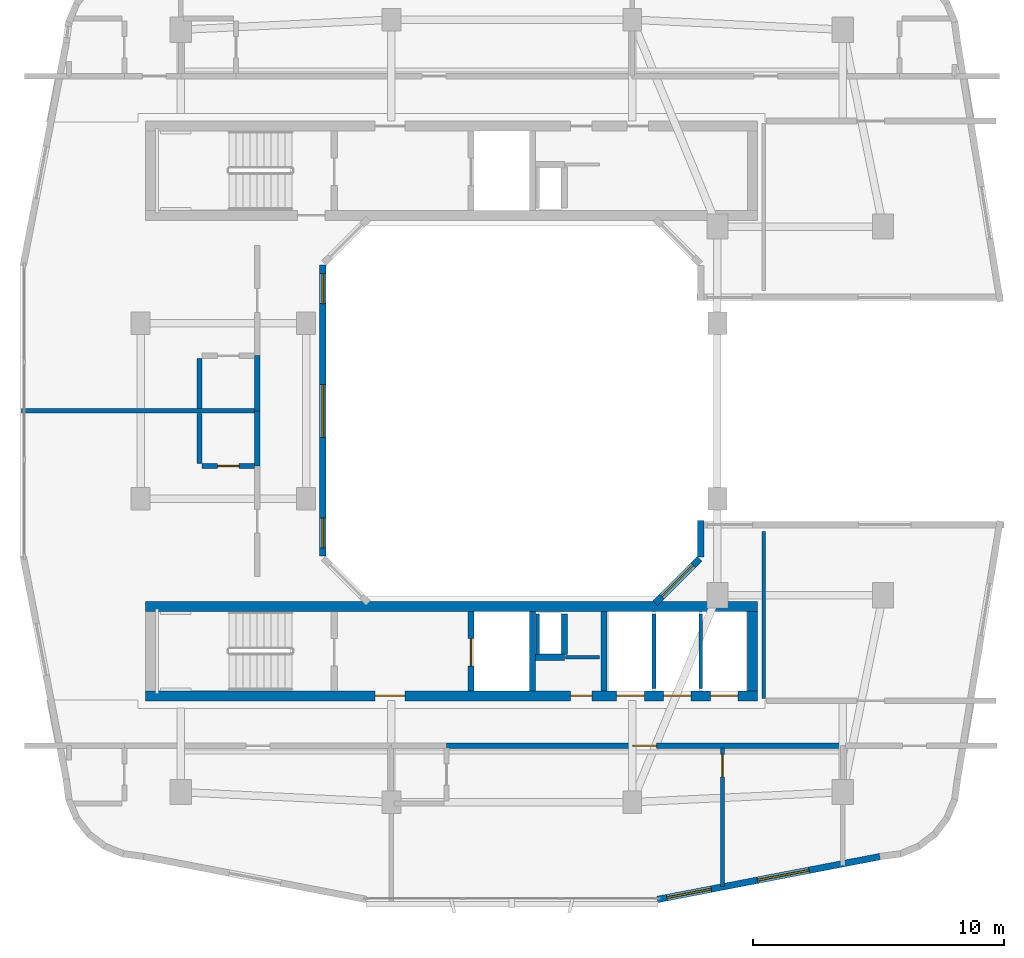
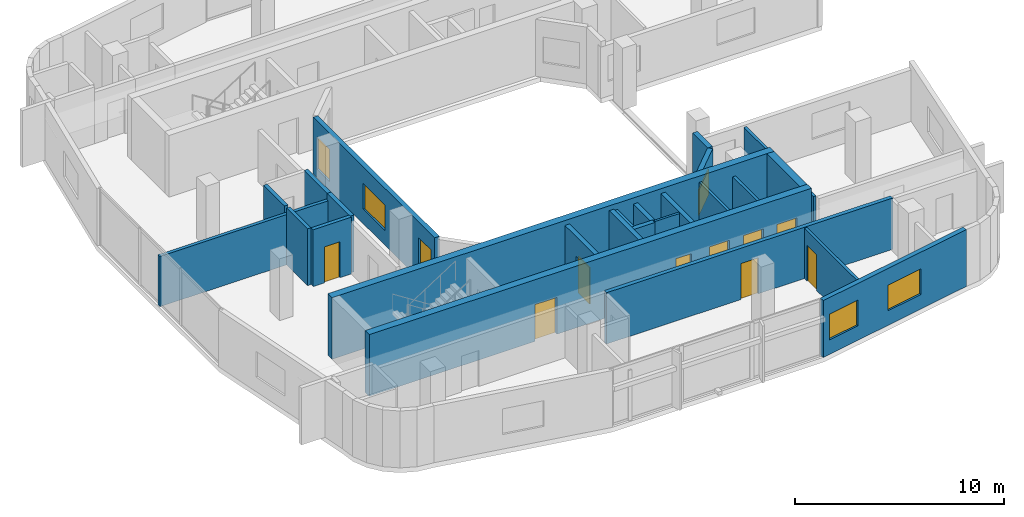
# One storey, part 5 of 12: 25 walls, 9 doors, 6 windows, 15 openings.
"""IFC4 building model written with IfcOpenShell, lengths in metres."""

import ifcopenshell
import ifcopenshell.guid

model = None  # the IFC model being written
_history = None  # IfcOwnerHistory: only IFC2X3 demands one
_inside = {}  # id of a spatial element -> (the spatial element, [elements in it])
_under = {}  # id of a project, library or spatial element -> (it, [spatial elements below it])
_declared = {}  # id of a project -> (the project, [libraries it declares])
_typed = {}  # id of a type object -> (the type object, [elements of that type])
_made_of = {}  # id of a material, layer set ... -> (it, [elements and type objects made of it])


def new_model(schema):
    """Start an empty IFC model of exactly this schema.

    Asked for "IFC4X3", IfcOpenShell would pick the latest addendum, in which some entities
    have other attributes; the version numbers below select the first issue.
    IFC2X3 requires an IfcOwnerHistory on every rooted entity: one is made here for all.
    """
    global model, _history
    if schema == "IFC4X3":
        model = ifcopenshell.file(schema_version=(4, 3, 0, 0))
    else:
        model = ifcopenshell.file(schema=schema)
    _inside.clear()
    _under.clear()
    _declared.clear()
    _typed.clear()
    _made_of.clear()
    _history = None
    if model.schema == "IFC2X3":
        org = make("IfcOrganization", Name="unknown")
        user = make(
            "IfcPersonAndOrganization",
            ThePerson=make("IfcPerson", FamilyName="unknown"),
            TheOrganization=org,
        )
        app = make(
            "IfcApplication",
            ApplicationDeveloper=org,
            Version="unknown",
            ApplicationFullName="unknown",
            ApplicationIdentifier="unknown",
        )
        _history = make(
            "IfcOwnerHistory",
            OwningUser=user,
            OwningApplication=app,
            ChangeAction="ADDED",
            CreationDate=0,
        )
    return model


def make(cls, **values):
    """One entity of the class cls with the attributes given. An attribute that is None is left unset."""
    return model.create_entity(
        cls, **{name: value for name, value in values.items() if value is not None}
    )


def rooted(cls, **values):
    """An entity with a GlobalId (a new one), such as an element, a storey or a relation."""
    return make(cls, GlobalId=ifcopenshell.guid.new(), OwnerHistory=_history, **values)


def si_unit(unit_type, name, prefix=None):
    """IfcSIUnit, for example si_unit("LENGTHUNIT", "METRE", prefix="MILLI")."""
    return make("IfcSIUnit", UnitType=unit_type, Prefix=prefix, Name=name)


def derived_unit(unit_type, elements):
    """IfcDerivedUnit: a product of units, each with its exponent."""
    return make(
        "IfcDerivedUnit",
        Elements=[
            make("IfcDerivedUnitElement", Unit=unit, Exponent=power)
            for unit, power in elements
        ],
        UnitType=unit_type,
    )


def assignment(units):
    """IfcUnitAssignment: the units of a project."""
    return None if units is None else make("IfcUnitAssignment", Units=units)


def point(xyz):
    """IfcCartesianPoint."""
    return None if xyz is None else make("IfcCartesianPoint", Coordinates=xyz)


def direction(xyz):
    """IfcDirection."""
    return None if xyz is None else make("IfcDirection", DirectionRatios=xyz)


def frame(location, z_axis=None, x_axis=None):
    """IfcAxis2Placement3D, a coordinate frame: its origin and axes. An axis left out is left unset."""
    return make(
        "IfcAxis2Placement3D",
        Location=point(location),
        Axis=direction(z_axis),
        RefDirection=direction(x_axis),
    )


def frame_2d(location, x_axis=None):
    """IfcAxis2Placement2D, a coordinate frame in the plane: its origin and x axis."""
    return make(
        "IfcAxis2Placement2D", Location=point(location), RefDirection=direction(x_axis)
    )


def origin():
    """The frame at (0, 0, 0) with its axes left unset."""
    return frame((0.0, 0.0, 0.0))


def place(relative_to, where):
    """IfcLocalPlacement: puts the frame where relative to a parent placement (None: the world)."""
    return make(
        "IfcLocalPlacement", PlacementRelTo=relative_to, RelativePlacement=where
    )


def context(
    kind, dimensions, precision=None, world=None, true_north=None, identifier=None
):
    """IfcGeometricRepresentationContext, for example the 3D "Model" context."""
    return make(
        "IfcGeometricRepresentationContext",
        ContextIdentifier=identifier,
        ContextType=kind,
        CoordinateSpaceDimension=dimensions,
        Precision=precision,
        WorldCoordinateSystem=world,
        TrueNorth=true_north,
    )


def subcontext(parent, identifier, kind, view, scale=None):
    """IfcGeometricRepresentationSubContext, for example "Body" below "Model"."""
    return make(
        "IfcGeometricRepresentationSubContext",
        ContextIdentifier=identifier,
        ContextType=kind,
        ParentContext=parent,
        TargetScale=scale,
        TargetView=view,
    )


def project(units=None, contexts=None):
    """IfcProject with its units and contexts."""
    return rooted(
        "IfcProject",
        Name="project",
        RepresentationContexts=contexts,
        UnitsInContext=assignment(units),
    )


def spatial(cls, under=None, at=None, **own):
    """A site, building, storey or space (cls), placed at a placement, below another one or the project."""
    s = rooted(cls, ObjectPlacement=at, **own)
    if under is not None:
        _under.setdefault(under.id(), (under, []))[1].append(s)
    return s


def profile(cls, at=None, kind="AREA", **sizes):
    """A parametric profile (cls). Its sizes go by their IFC names, for example OverallWidth=200.0."""
    return make(cls, ProfileType=kind, Position=at, **sizes)


def rectangle(**sizes):
    """IfcRectangleProfileDef."""
    return profile("IfcRectangleProfileDef", **sizes)


def extrude(swept, where, along, depth):
    """IfcExtrudedAreaSolid: the profile swept, set in the frame where, extruded along a direction by depth."""
    return make(
        "IfcExtrudedAreaSolid",
        SweptArea=swept,
        Position=where,
        ExtrudedDirection=direction(along),
        Depth=depth,
    )


def shape(context_of_items, identifier, shape_type, items):
    """IfcShapeRepresentation: the items that make up one representation, for example the "Body"."""
    return make(
        "IfcShapeRepresentation",
        ContextOfItems=context_of_items,
        RepresentationIdentifier=identifier,
        RepresentationType=shape_type,
        Items=items,
    )


def material(Name=None, Category=None):
    """IfcMaterial."""
    return make("IfcMaterial", Name=Name, Category=Category)


def layer(
    of_material, thickness, ventilated=None, Name=None, Category=None, Priority=None
):
    """IfcMaterialLayer: one layer of a wall or slab, of a material (None: an air gap)."""
    return make(
        "IfcMaterialLayer",
        Material=of_material,
        LayerThickness=thickness,
        IsVentilated=ventilated,
        Name=Name,
        Category=Category,
        Priority=Priority,
    )


def layer_set(layers, Name=None):
    """IfcMaterialLayerSet."""
    return make("IfcMaterialLayerSet", MaterialLayers=layers, LayerSetName=Name)


def made_of(thing, what):
    """Note that an element or type object is made of a material, layer set ...; save() writes the relation."""
    if what is not None:
        _made_of.setdefault(what.id(), (what, []))[1].append(thing)
    return thing


def type_object(cls, material=None, **own):
    """A type object (cls), such as IfcWallType, which elements share."""
    return made_of(rooted(cls, **own), material)


def element(
    cls,
    number,
    at=None,
    inside=None,
    cuts=None,
    type_object=None,
    material=None,
    context=None,
    identifier="Body",
    shape_type=None,
    held_by="IfcProductDefinitionShape",
    body=None,
    shapes=None,
    **own,
):
    """One element of the class cls, such as IfcWall. Its Tag is "e" and its number.

    at: its placement. inside: the storey or other place that contains it. cuts: it is an
    opening in that element (IfcRelVoidsElement). A single representation is given by context,
    identifier, shape_type and body (its items); several are given by shapes. held_by: the class
    of the entity that holds the representations. save() writes the other relations.
    """
    e = rooted(cls, Tag="e%d" % number, ObjectPlacement=at, **own)
    if body is not None:
        shapes = [shape(context, identifier, shape_type, body)]
    if shapes is not None:
        e.Representation = make(held_by, Representations=shapes)
    if inside is not None:
        _inside.setdefault(inside.id(), (inside, []))[1].append(e)
    if cuts is not None:
        rooted(
            "IfcRelVoidsElement", RelatingBuildingElement=cuts, RelatedOpeningElement=e
        )
    if type_object is not None:
        _typed.setdefault(type_object.id(), (type_object, []))[1].append(e)
    return made_of(e, material)


def fill(opening, filler):
    """IfcRelFillsElement: the door or window that sits in an opening."""
    return rooted(
        "IfcRelFillsElement",
        RelatingOpeningElement=opening,
        RelatedBuildingElement=filler,
    )


def aggregate(whole, parts):
    """IfcRelAggregates: a whole, such as a stair, and the parts it consists of."""
    return rooted("IfcRelAggregates", RelatingObject=whole, RelatedObjects=parts)


def save(model, path):
    """Write the relations noted so far, then the file.

    IfcRelAggregates (storeys below a building ...), IfcRelContainedInSpatialStructure (elements
    in a storey), IfcRelDefinesByType, IfcRelAssociatesMaterial and IfcRelDeclares: one each for
    every whole, place, type object, material and project.
    """
    for whole, parts in _under.values():
        aggregate(whole, parts)
    for where, things in _inside.values():
        rooted(
            "IfcRelContainedInSpatialStructure",
            RelatedElements=things,
            RelatingStructure=where,
        )
    for kind, things in _typed.values():
        rooted("IfcRelDefinesByType", RelatedObjects=things, RelatingType=kind)
    for what, things in _made_of.values():
        rooted("IfcRelAssociatesMaterial", RelatedObjects=things, RelatingMaterial=what)
    for by, libraries in _declared.values():
        rooted("IfcRelDeclares", RelatingContext=by, RelatedDefinitions=libraries)
    model.write(path)


model = new_model("IFC4")

# Units and contexts
model_context = context("Model", 3, precision=1e-05, world=origin(), true_north=direction((0.0, 1.0)))
body_context = subcontext(model_context, "Body", "Model", "MODEL_VIEW")
ifc_project = project(units=[si_unit("LENGTHUNIT", "METRE"), si_unit("AREAUNIT", "SQUARE_METRE"), si_unit("VOLUMEUNIT", "CUBIC_METRE"), si_unit("PLANEANGLEUNIT", "RADIAN"), si_unit("MASSUNIT", "GRAM", prefix="KILO"), derived_unit("THERMALTRANSMITTANCEUNIT", [(si_unit("POWERUNIT", "WATT"), 1), (si_unit("LENGTHUNIT", "METRE"), -2), (si_unit("THERMODYNAMICTEMPERATUREUNIT", "KELVIN"), -1)])], contexts=[model_context])

# Site, building, storey
site_placement = place(None, origin())
site = spatial("IfcSite", under=ifc_project, at=site_placement, CompositionType="ELEMENT")
building_placement = place(site_placement, origin())
building = spatial("IfcBuilding", under=site, at=building_placement, Name="Kivonza Crest Hotel", CompositionType="ELEMENT")
storey_placement = place(building_placement, frame((0.0, 0.0, 191.89990234375)))
storey = spatial("IfcBuildingStorey", under=building, at=storey_placement, Name="L52", CompositionType="ELEMENT", Elevation=191.89990234375)

# Wall
ifc_material_1 = material(Name="High-density acoustic masonry inter-tenancy wall", Category="masonry")
ifc_layer_1 = layer(ifc_material_1, 0.179931640625)
ifc_layer_set_1 = layer_set([ifc_layer_1], Name="High-density acoustic masonry inter-tenancy wall")
wall_type_1 = type_object("IfcWallType", Name="WL-ACOU-180", PredefinedType="SOLIDWALL", material=ifc_layer_set_1)
wall_1_placement = place(storey_placement, frame((1.4599609375, 25.0, 0.0), z_axis=(0.0, 0.0, 1.0), x_axis=(1.0, 0.0, 0.0)))
element("IfcWall", 1, at=wall_1_placement, inside=storey, type_object=wall_type_1, Name="L52 interior partition WA-L52-T1W-DIV1", PredefinedType="SOLIDWALL", context=body_context, shape_type="SweptSolid", body=[
    extrude(rectangle(XDim=9.39013671875, YDim=0.179931640625, at=frame_2d((4.695068359375, 0.0))), origin(), (0.0, 0.0, 1.0), 2.93505859375),
])

# Wall, opening, door
ifc_material_2 = material(Name="Autoclaved aerated concrete blockwork", Category="masonry")
ifc_layer_2 = layer(ifc_material_2, 0.219970703125)
ifc_layer_set_2 = layer_set([ifc_layer_2], Name="Autoclaved aerated concrete blockwork")
wall_type_2 = type_object("IfcWallType", Name="WL-ACOU-220", PredefinedType="SOLIDWALL", material=ifc_layer_set_2)
wall_2_placement = place(storey_placement, frame((18.39990234375, 11.64990234375, 0.0), z_axis=(0.0, 0.0, 1.0), x_axis=(1.0, 0.0, 0.0)))
wall_2 = element("IfcWall", 2, at=wall_2_placement, inside=storey, type_object=wall_type_2, Name="L52 interior partition WA-L52-S05-MCORR", PredefinedType="SOLIDWALL", context=body_context, shape_type="SweptSolid", body=[
    extrude(rectangle(XDim=15.800048828125, YDim=0.219970703125, at=frame_2d((7.89990234375, 0.0))), origin(), (0.0, 0.0, 1.0), 2.9951171875),
])
opening_1_placement = place(wall_2_placement, frame((7.425048828125, 0.0, 0.0)))
opening_1 = element("IfcOpeningElement", 3, at=opening_1_placement, cuts=wall_2, Name="Opening DU-60", PredefinedType="OPENING", context=body_context, shape_type="SweptSolid", body=[
    extrude(rectangle(XDim=0.949951171875, YDim=2.10009765625, at=frame_2d((0.47509765625, 1.050048828125))), frame((0.0, 0.1201171875, 0.0), z_axis=(0.0, -1.0, 0.0), x_axis=(1.0, 0.0, 0.0)), (0.0, 0.0, 1.0), 0.239990234375),
])
ifc_material_3 = material(Name="Hardwood timber oak", Category="wood")
door_type_1 = type_object("IfcDoorType", Name="DR-UNIT-950", OperationType="NOTDEFINED", PredefinedType="DOOR", material=ifc_material_3)
door_1_placement = place(opening_1_placement, frame((0.949951171875, 0.0, 0.0), z_axis=(0.0, 0.0, 1.0), x_axis=(-1.0, 0.0, 0.0)))
door_1 = element("IfcDoor", 4, at=door_1_placement, inside=storey, type_object=door_type_1, Name="L52 S05 guest unit entrance fire door", OperationType="SINGLE_SWING_LEFT", OverallHeight=2.10009765625, OverallWidth=0.949951171875, PredefinedType="DOOR", context=body_context, shape_type="SweptSolid", body=[
    extrude(rectangle(XDim=0.949951171875, YDim=2.10009765625, at=frame_2d((0.47509765625, 1.050048828125))), frame((0.0, 0.02490234375, 0.0), z_axis=(0.0, -1.0, 0.0), x_axis=(1.0, 0.0, 0.0)), (0.0, 0.0, 1.0), 0.050048828125),
])
fill(opening_1, door_1)

# Walls
for number, where, z_axis, x_axis, name in (
    (5, (10.85009765625, 22.800048828125, 0.0), (0.0, 0.0, 1.0), (0.0, 1.0, 0.0), "L52 interior partition WA-L52-W06-BCORR"),
    (6, (10.85009765625, 25.0, 0.0), (0.0, 0.0, 1.0), (0.0, 1.0, 0.0), "L52 interior partition WA-L52-W07-BCORR"),
):
    element("IfcWall", number, at=place(storey_placement, frame(where, z_axis=z_axis, x_axis=x_axis)), inside=storey, type_object=wall_type_2, Name=name, PredefinedType="SOLIDWALL", context=body_context, shape_type="SweptSolid", body=[
        extrude(rectangle(XDim=2.199951171875, YDim=0.219970703125, at=frame_2d((1.10009765625, 0.0))), origin(), (0.0, 0.0, 1.0), 3.320068359375),
    ])

# Wall, openings, doors
ifc_material_4 = material(Name="Concrete C50/60", Category="concrete")
ifc_layer_3 = layer(ifc_material_4, 0.39990234375)
ifc_layer_set_3 = layer_set([ifc_layer_3], Name="Concrete C50/60")
wall_type_3 = type_object("IfcWallType", Name="WL-CORE-400", PredefinedType="SHEAR", material=ifc_layer_set_3)
wall_3_placement = place(storey_placement, frame((6.39990234375, 13.639892578125, 0.0), z_axis=(0.0, 0.0, 1.0), x_axis=(1.0, 0.0, 0.0)))
wall_3 = element("IfcWall", 7, at=wall_3_placement, inside=storey, type_object=wall_type_3, Name="Core wall T1-S South L52", PredefinedType="SHEAR", context=body_context, shape_type="SweptSolid", body=[
    extrude(rectangle(XDim=24.400146484375, YDim=0.39990234375, at=frame_2d((12.2001953125, 0.0))), origin(), (0.0, 0.0, 1.0), 3.60009765625),
])
opening_2_placement = place(wall_3_placement, frame((9.14990234375, 0.0, 0.0)))
opening_2 = element("IfcOpeningElement", 8, at=opening_2_placement, cuts=wall_3, Name="Opening DF-60", PredefinedType="OPENING", context=body_context, shape_type="SweptSolid", body=[
    extrude(rectangle(XDim=1.199951171875, YDim=2.14990234375, at=frame_2d((0.60009765625, 1.074951171875))), frame((0.0, 0.2099609375, 0.0), z_axis=(0.0, -1.0, 0.0), x_axis=(1.0, 0.0, 0.0)), (0.0, 0.0, 1.0), 0.419921875),
])
opening_3_placement = place(wall_3_placement, frame((16.93994140625, 0.0, 0.0)))
opening_3 = element("IfcOpeningElement", 9, at=opening_3_placement, cuts=wall_3, Name="Opening DF-60R", PredefinedType="OPENING", context=body_context, shape_type="SweptSolid", body=[
    extrude(rectangle(XDim=0.85009765625, YDim=2.10009765625, at=frame_2d((0.425048828125, 1.050048828125))), frame((0.0, 0.2099609375, 0.0), z_axis=(0.0, -1.0, 0.0), x_axis=(1.0, 0.0, 0.0)), (0.0, 0.0, 1.0), 0.419921875),
])
opening_4_placement = place(wall_3_placement, frame((18.782958984375, 0.0, 0.0)))
opening_4 = element("IfcOpeningElement", 10, at=opening_4_placement, cuts=wall_3, Name="Opening LD-120", PredefinedType="OPENING", context=body_context, shape_type="SweptSolid", body=[
    extrude(rectangle(XDim=1.10009765625, YDim=2.14990234375, at=frame_2d((0.550048828125, 1.074951171875))), frame((0.0, 0.2099609375, 0.0), z_axis=(0.0, -1.0, 0.0), x_axis=(1.0, 0.0, 0.0)), (0.0, 0.0, 1.0), 0.419921875),
])
opening_5_placement = place(wall_3_placement, frame((20.64990234375, 0.0, 0.0)))
opening_5 = element("IfcOpeningElement", 11, at=opening_5_placement, cuts=wall_3, Name="Opening LD-120", PredefinedType="OPENING", context=body_context, shape_type="SweptSolid", body=[
    extrude(rectangle(XDim=1.10009765625, YDim=2.14990234375, at=frame_2d((0.550048828125, 1.074951171875))), frame((0.0, 0.2099609375, 0.0), z_axis=(0.0, -1.0, 0.0), x_axis=(1.0, 0.0, 0.0)), (0.0, 0.0, 1.0), 0.419921875),
])
opening_6_placement = place(wall_3_placement, frame((22.51708984375, 0.0, 0.0)))
opening_6 = element("IfcOpeningElement", 12, at=opening_6_placement, cuts=wall_3, Name="Opening LD-120", PredefinedType="OPENING", context=body_context, shape_type="SweptSolid", body=[
    extrude(rectangle(XDim=1.10009765625, YDim=2.14990234375, at=frame_2d((0.550048828125, 1.074951171875))), frame((0.0, 0.2099609375, 0.0), z_axis=(0.0, -1.0, 0.0), x_axis=(1.0, 0.0, 0.0)), (0.0, 0.0, 1.0), 0.419921875),
])
door_type_2 = type_object("IfcDoorType", Name="DR-FD60-1200", OperationType="NOTDEFINED", PredefinedType="DOOR", material=ifc_material_3)
door_2_placement = place(opening_2_placement, frame((1.199951171875, 0.0, 0.0), z_axis=(0.0, 0.0, 1.0), x_axis=(-1.0, 0.0, 0.0)))
door_2 = element("IfcDoor", 13, at=door_2_placement, inside=storey, type_object=door_type_2, Name="L52 T1-S firefighting lobby fire door", OperationType="SINGLE_SWING_LEFT", OverallHeight=2.14990234375, OverallWidth=1.199951171875, PredefinedType="DOOR", context=body_context, shape_type="SweptSolid", body=[
    extrude(rectangle(XDim=1.199951171875, YDim=2.14990234375, at=frame_2d((0.60009765625, 1.074951171875))), frame((0.0, 0.02490234375, 0.0), z_axis=(0.0, -1.0, 0.0), x_axis=(1.0, 0.0, 0.0)), (0.0, 0.0, 1.0), 0.050048828125),
])
fill(opening_2, door_2)
door_type_3 = type_object("IfcDoorType", Name="DR-FD60-850", OperationType="NOTDEFINED", PredefinedType="DOOR", material=ifc_material_3)
door_3_placement = place(opening_3_placement, frame((0.85009765625, 0.0, 0.0), z_axis=(0.0, 0.0, 1.0), x_axis=(-1.0, 0.0, 0.0)))
door_3 = element("IfcDoor", 14, at=door_3_placement, inside=storey, type_object=door_type_3, Name="L52 T1-S core room door", OperationType="SINGLE_SWING_RIGHT", OverallHeight=2.10009765625, OverallWidth=0.85009765625, PredefinedType="DOOR", context=body_context, shape_type="SweptSolid", body=[
    extrude(rectangle(XDim=0.85009765625, YDim=2.10009765625, at=frame_2d((0.425048828125, 1.050048828125))), frame((0.0, 0.02490234375, 0.0), z_axis=(0.0, -1.0, 0.0), x_axis=(1.0, 0.0, 0.0)), (0.0, 0.0, 1.0), 0.050048828125),
])
fill(opening_3, door_3)
ifc_material_5 = material(Name="Stainless steel", Category="steel")
door_type_4 = type_object("IfcDoorType", Name="DR-LD120-1100", OperationType="NOTDEFINED", PredefinedType="DOOR", material=ifc_material_5)
door_4_placement = place(opening_4_placement, frame((1.10009765625, 0.0, 0.0), z_axis=(0.0, 0.0, 1.0), x_axis=(-1.0, 0.0, 0.0)))
door_4 = element("IfcDoor", 15, at=door_4_placement, inside=storey, type_object=door_type_4, Name="L52 PL-T1-H1 passenger lift sliding landing door", OperationType="DOUBLE_DOOR_SLIDING", OverallHeight=2.14990234375, OverallWidth=1.10009765625, PredefinedType="DOOR", context=body_context, shape_type="SweptSolid", body=[
    extrude(rectangle(XDim=1.10009765625, YDim=2.14990234375, at=frame_2d((0.550048828125, 1.074951171875))), frame((0.0, 0.02490234375, 0.0), z_axis=(0.0, -1.0, 0.0), x_axis=(1.0, 0.0, 0.0)), (0.0, 0.0, 1.0), 0.050048828125),
])
fill(opening_4, door_4)
door_5_placement = place(opening_5_placement, frame((1.10009765625, 0.0, 0.0), z_axis=(0.0, 0.0, 1.0), x_axis=(-1.0, 0.0, 0.0)))
door_5 = element("IfcDoor", 16, at=door_5_placement, inside=storey, type_object=door_type_4, Name="L52 PL-T1-H2 passenger lift sliding landing door", OperationType="DOUBLE_DOOR_SLIDING", OverallHeight=2.14990234375, OverallWidth=1.10009765625, PredefinedType="DOOR", context=body_context, shape_type="SweptSolid", body=[
    extrude(rectangle(XDim=1.10009765625, YDim=2.14990234375, at=frame_2d((0.550048828125, 1.074951171875))), frame((0.0, 0.02490234375, 0.0), z_axis=(0.0, -1.0, 0.0), x_axis=(1.0, 0.0, 0.0)), (0.0, 0.0, 1.0), 0.050048828125),
])
fill(opening_5, door_5)
door_6_placement = place(opening_6_placement, frame((1.10009765625, 0.0, 0.0), z_axis=(0.0, 0.0, 1.0), x_axis=(-1.0, 0.0, 0.0)))
door_6 = element("IfcDoor", 17, at=door_6_placement, inside=storey, type_object=door_type_4, Name="L52 PL-T1-H3 passenger lift sliding landing door", OperationType="DOUBLE_DOOR_SLIDING", OverallHeight=2.14990234375, OverallWidth=1.10009765625, PredefinedType="DOOR", context=body_context, shape_type="SweptSolid", body=[
    extrude(rectangle(XDim=1.10009765625, YDim=2.14990234375, at=frame_2d((0.550048828125, 1.074951171875))), frame((0.0, 0.02490234375, 0.0), z_axis=(0.0, -1.0, 0.0), x_axis=(1.0, 0.0, 0.0)), (0.0, 0.0, 1.0), 0.050048828125),
])
fill(opening_6, door_6)

# Walls
wall_4_placement = place(storey_placement, frame((6.39990234375, 17.199951171875, 0.0), z_axis=(0.0, 0.0, 1.0), x_axis=(1.0, 0.0, 0.0)))
element("IfcWall", 18, at=wall_4_placement, inside=storey, type_object=wall_type_3, Name="Core wall T1-S North L52", PredefinedType="SHEAR", context=body_context, shape_type="SweptSolid", body=[
    extrude(rectangle(XDim=24.400146484375, YDim=0.39990234375, at=frame_2d((12.2001953125, 0.0))), origin(), (0.0, 0.0, 1.0), 3.60009765625),
])
wall_5_placement = place(storey_placement, frame((30.60009765625, 13.840087890625, 0.0), z_axis=(0.0, 0.0, 1.0), x_axis=(0.0, 1.0, 0.0)))
element("IfcWall", 19, at=wall_5_placement, inside=storey, type_object=wall_type_3, Name="Core wall T1-S East L52", PredefinedType="SHEAR", context=body_context, shape_type="SweptSolid", body=[
    extrude(rectangle(XDim=3.159912109375, YDim=0.39990234375, at=frame_2d((1.580078125, 0.0))), origin(), (0.0, 0.0, 1.0), 3.60009765625),
])

# Wall, openings, windows
ifc_material_6 = material(Name="Precast concrete C40/50", Category="concrete")
ifc_layer_4 = layer(ifc_material_6, 0.260009765625)
ifc_layer_set_4 = layer_set([ifc_layer_4], Name="Precast concrete C40/50")
wall_type_4 = type_object("IfcWallType", Name="WL-EXT-260", PredefinedType="STANDARD", material=ifc_layer_set_4)
wall_6_placement = place(storey_placement, frame((26.801025390625, 5.51806640625, 0.0), z_axis=(0.0, 0.0, 1.0), x_axis=(0.98192801022, 0.189254809039, 0.0)))
wall_6 = element("IfcWall", 20, at=wall_6_placement, inside=storey, type_object=wall_type_4, Name="L52 T1 exterior insulated wall 9", PredefinedType="STANDARD", context=body_context, shape_type="SweptSolid", body=[
    extrude(rectangle(XDim=9.045654296875, YDim=0.260009765625, at=frame_2d((4.52294921875, 0.0))), origin(), (0.0, 0.0, 1.0), 3.320068359375),
])
opening_7_placement = place(wall_6_placement, frame((0.386962890625, 0.0, 0.85009765625)))
opening_7 = element("IfcOpeningElement", 21, at=opening_7_placement, cuts=wall_6, Name="Opening WN-03", PredefinedType="OPENING", context=body_context, shape_type="SweptSolid", body=[
    extrude(rectangle(XDim=1.800048828125, YDim=1.5, at=frame_2d((0.89990234375, 0.75))), frame((0.0, 0.14013671875, 0.0), z_axis=(0.0, -1.0, 0.0), x_axis=(1.0, 0.0, 0.0)), (0.0, 0.0, 1.0), 0.280029296875),
])
opening_8_placement = place(wall_6_placement, frame((4.06494140625, 0.0, 0.85009765625)))
opening_8 = element("IfcOpeningElement", 22, at=opening_8_placement, cuts=wall_6, Name="Opening WN-04", PredefinedType="OPENING", context=body_context, shape_type="SweptSolid", body=[
    extrude(rectangle(XDim=2.10009765625, YDim=1.5, at=frame_2d((1.050048828125, 0.75))), frame((0.0, 0.14013671875, 0.0), z_axis=(0.0, -1.0, 0.0), x_axis=(1.0, 0.0, 0.0)), (0.0, 0.0, 1.0), 0.280029296875),
])
ifc_material_7 = material(Name="Thermally broken bronze aluminium and low-E double glazing", Category="aluminium")
window_type_1 = type_object("IfcWindowType", Name="WN-180x150", PartitioningType="DOUBLE_PANEL_VERTICAL", PredefinedType="WINDOW", material=ifc_material_7)
window_1_placement = place(opening_7_placement, origin())
window_1 = element("IfcWindow", 23, at=window_1_placement, inside=storey, type_object=window_type_1, Name="L52 T1 facade window 9 bay 1", OverallHeight=1.5, OverallWidth=1.800048828125, PartitioningType="SINGLE_PANEL", PredefinedType="WINDOW", context=body_context, shape_type="SweptSolid", body=[
    extrude(rectangle(XDim=1.800048828125, YDim=1.5, at=frame_2d((0.89990234375, 0.75))), frame((0.0, 0.030029296875, 0.0), z_axis=(0.0, -1.0, 0.0), x_axis=(1.0, 0.0, 0.0)), (0.0, 0.0, 1.0), 0.06005859375),
])
fill(opening_7, window_1)
window_type_2 = type_object("IfcWindowType", Name="WN-210x150", PartitioningType="DOUBLE_PANEL_VERTICAL", PredefinedType="WINDOW", material=ifc_material_7)
window_2_placement = place(opening_8_placement, origin())
window_2 = element("IfcWindow", 24, at=window_2_placement, inside=storey, type_object=window_type_2, Name="L52 T1 facade window 9 bay 2", OverallHeight=1.5, OverallWidth=2.10009765625, PartitioningType="SINGLE_PANEL", PredefinedType="WINDOW", context=body_context, shape_type="SweptSolid", body=[
    extrude(rectangle(XDim=2.10009765625, YDim=1.5, at=frame_2d((1.050048828125, 0.75))), frame((0.0, 0.030029296875, 0.0), z_axis=(0.0, -1.0, 0.0), x_axis=(1.0, 0.0, 0.0)), (0.0, 0.0, 1.0), 0.06005859375),
])
fill(opening_8, window_2)

# Wall
wall_7_placement = place(storey_placement, frame((28.530029296875, 20.625, 0.0), z_axis=(0.0, 0.0, 1.0), x_axis=(0.0, -1.0, 0.0)))
element("IfcWall", 25, at=wall_7_placement, inside=storey, type_object=wall_type_4, Name="L52 T1 exterior insulated wall 18", PredefinedType="STANDARD", context=body_context, shape_type="SweptSolid", body=[
    extrude(rectangle(XDim=1.449951171875, YDim=0.260009765625, at=frame_2d((0.72509765625, 0.0))), origin(), (0.0, 0.0, 1.0), 3.320068359375),
])

# Wall, opening, window
wall_8_placement = place(storey_placement, frame((28.485107421875, 19.10107421875, 0.0), z_axis=(0.0, 0.0, 1.0), x_axis=(-0.707106781187, -0.707106781187, 0.0)))
wall_8 = element("IfcWall", 26, at=wall_8_placement, inside=storey, type_object=wall_type_4, Name="L52 T1 exterior insulated wall 19", PredefinedType="STANDARD", context=body_context, shape_type="SweptSolid", body=[
    extrude(rectangle(XDim=2.493408203125, YDim=0.260009765625, at=frame_2d((1.24658203125, 0.0))), origin(), (0.0, 0.0, 1.0), 3.320068359375),
])
opening_9_placement = place(wall_8_placement, frame((0.346923828125, 0.0, 0.85009765625)))
opening_9 = element("IfcOpeningElement", 27, at=opening_9_placement, cuts=wall_8, Name="Opening WN-03", PredefinedType="OPENING", context=body_context, shape_type="SweptSolid", body=[
    extrude(rectangle(XDim=1.800048828125, YDim=1.5, at=frame_2d((0.89990234375, 0.75))), frame((0.0, 0.14013671875, 0.0), z_axis=(0.0, -1.0, 0.0), x_axis=(1.0, 0.0, 0.0)), (0.0, 0.0, 1.0), 0.280029296875),
])
window_3_placement = place(opening_9_placement, origin())
window_3 = element("IfcWindow", 28, at=window_3_placement, inside=storey, type_object=window_type_1, Name="L52 T1 facade window 19", OverallHeight=1.5, OverallWidth=1.800048828125, PartitioningType="SINGLE_PANEL", PredefinedType="WINDOW", context=body_context, shape_type="SweptSolid", body=[
    extrude(rectangle(XDim=1.800048828125, YDim=1.5, at=frame_2d((0.89990234375, 0.75))), frame((0.0, 0.030029296875, 0.0), z_axis=(0.0, -1.0, 0.0), x_axis=(1.0, 0.0, 0.0)), (0.0, 0.0, 1.0), 0.06005859375),
])
fill(opening_9, window_3)

# Wall, openings, windows
wall_9_placement = place(storey_placement, frame((13.469970703125, 19.2099609375, 0.0), z_axis=(0.0, 0.0, 1.0), x_axis=(0.0, 1.0, 0.0)))
wall_9 = element("IfcWall", 29, at=wall_9_placement, inside=storey, type_object=wall_type_4, Name="L52 T1 exterior insulated wall 22", PredefinedType="STANDARD", context=body_context, shape_type="SweptSolid", body=[
    extrude(rectangle(XDim=11.614990234375, YDim=0.260009765625, at=frame_2d((5.8076171875, 0.0))), origin(), (0.0, 0.0, 1.0), 3.320068359375),
])
opening_10_placement = place(wall_9_placement, frame((0.330078125, 0.0, 0.5)))
opening_10 = element("IfcOpeningElement", 30, at=opening_10_placement, cuts=wall_9, Name="Opening WN-06", PredefinedType="OPENING", context=body_context, shape_type="SweptSolid", body=[
    extrude(rectangle(XDim=1.199951171875, YDim=1.89990234375, at=frame_2d((0.60009765625, 0.949951171875))), frame((0.0, 0.14013671875, 0.0), z_axis=(0.0, -1.0, 0.0), x_axis=(1.0, 0.0, 0.0)), (0.0, 0.0, 1.0), 0.280029296875),
])
opening_11_placement = place(wall_9_placement, frame((4.739990234375, 0.0, 0.85009765625)))
opening_11 = element("IfcOpeningElement", 31, at=opening_11_placement, cuts=wall_9, Name="Opening WN-04", PredefinedType="OPENING", context=body_context, shape_type="SweptSolid", body=[
    extrude(rectangle(XDim=2.10009765625, YDim=1.5, at=frame_2d((1.050048828125, 0.75))), frame((0.0, 0.14013671875, 0.0), z_axis=(0.0, -1.0, 0.0), x_axis=(1.0, 0.0, 0.0)), (0.0, 0.0, 1.0), 0.280029296875),
])
opening_12_placement = place(wall_9_placement, frame((10.06689453125, 0.0, 0.5)))
opening_12 = element("IfcOpeningElement", 32, at=opening_12_placement, cuts=wall_9, Name="Opening WN-06", PredefinedType="OPENING", context=body_context, shape_type="SweptSolid", body=[
    extrude(rectangle(XDim=1.199951171875, YDim=1.89990234375, at=frame_2d((0.60009765625, 0.949951171875))), frame((0.0, 0.14013671875, 0.0), z_axis=(0.0, -1.0, 0.0), x_axis=(1.0, 0.0, 0.0)), (0.0, 0.0, 1.0), 0.280029296875),
])
window_type_3 = type_object("IfcWindowType", Name="WN-120x190", PartitioningType="SINGLE_PANEL", PredefinedType="WINDOW", material=ifc_material_7)
window_4_placement = place(opening_10_placement, origin())
window_4 = element("IfcWindow", 33, at=window_4_placement, inside=storey, type_object=window_type_3, Name="L52 T1 facade window 22 bay 1", OverallHeight=1.89990234375, OverallWidth=1.199951171875, PartitioningType="SINGLE_PANEL", PredefinedType="WINDOW", context=body_context, shape_type="SweptSolid", body=[
    extrude(rectangle(XDim=1.199951171875, YDim=1.89990234375, at=frame_2d((0.60009765625, 0.949951171875))), frame((0.0, 0.030029296875, 0.0), z_axis=(0.0, -1.0, 0.0), x_axis=(1.0, 0.0, 0.0)), (0.0, 0.0, 1.0), 0.06005859375),
])
fill(opening_10, window_4)
window_5_placement = place(opening_12_placement, origin())
window_5 = element("IfcWindow", 34, at=window_5_placement, inside=storey, type_object=window_type_3, Name="L52 T1 facade window 22 bay 3", OverallHeight=1.89990234375, OverallWidth=1.199951171875, PartitioningType="SINGLE_PANEL", PredefinedType="WINDOW", context=body_context, shape_type="SweptSolid", body=[
    extrude(rectangle(XDim=1.199951171875, YDim=1.89990234375, at=frame_2d((0.60009765625, 0.949951171875))), frame((0.0, 0.030029296875, 0.0), z_axis=(0.0, -1.0, 0.0), x_axis=(1.0, 0.0, 0.0)), (0.0, 0.0, 1.0), 0.06005859375),
])
fill(opening_12, window_5)
window_6_placement = place(opening_11_placement, origin())
window_6 = element("IfcWindow", 35, at=window_6_placement, inside=storey, type_object=window_type_2, Name="L52 T1 facade window 22 bay 2", OverallHeight=1.5, OverallWidth=2.10009765625, PartitioningType="SINGLE_PANEL", PredefinedType="WINDOW", context=body_context, shape_type="SweptSolid", body=[
    extrude(rectangle(XDim=2.10009765625, YDim=1.5, at=frame_2d((1.050048828125, 0.75))), frame((0.0, 0.030029296875, 0.0), z_axis=(0.0, -1.0, 0.0), x_axis=(1.0, 0.0, 0.0)), (0.0, 0.0, 1.0), 0.06005859375),
])
fill(opening_11, window_6)

# Walls
ifc_material_8 = material(Name="Concrete blockwork fire-compartment wall", Category="masonry")
ifc_layer_5 = layer(ifc_material_8, 0.25)
ifc_layer_set_5 = layer_set([ifc_layer_5], Name="Concrete blockwork fire-compartment wall")
wall_type_5 = type_object("IfcWallType", Name="WL-FIRE-250", PredefinedType="SOLIDWALL", material=ifc_layer_set_5)
wall_10_placement = place(storey_placement, frame((23.10009765625, 15.280029296875, 0.0), z_axis=(0.0, 0.0, 1.0), x_axis=(0.0, 1.0, 0.0)))
element("IfcWall", 36, at=wall_10_placement, inside=storey, type_object=wall_type_5, Name="L52 interior partition WA-L52-T1-S-MEPR-E", PredefinedType="SOLIDWALL", context=body_context, shape_type="SweptSolid", body=[
    extrude(rectangle(XDim=1.619873046875, YDim=0.25, at=frame_2d((0.81005859375, 0.0))), origin(), (0.0, 0.0, 1.0), 3.320068359375),
])
wall_11_placement = place(storey_placement, frame((21.949951171875, 15.179931640625, 0.0), z_axis=(0.0, 0.0, 1.0), x_axis=(1.0, 0.0, 0.0)))
element("IfcWall", 37, at=wall_11_placement, inside=storey, type_object=wall_type_5, Name="L52 interior partition WA-L52-T1-S-MEPR-H", PredefinedType="SOLIDWALL", context=body_context, shape_type="SweptSolid", body=[
    extrude(rectangle(XDim=1.150146484375, YDim=0.25, at=frame_2d((0.5751953125, 0.0))), origin(), (0.0, 0.0, 1.0), 3.320068359375),
])
ifc_material_9 = material(Name="Metal-stud gypsum board partition", Category="gypsum")
ifc_layer_6 = layer(ifc_material_9, 0.125)
ifc_layer_set_6 = layer_set([ifc_layer_6], Name="Metal-stud gypsum board partition")
wall_type_6 = type_object("IfcWallType", Name="WL-PART-125", PredefinedType="PARTITIONING", material=ifc_layer_set_6)
wall_12_placement = place(storey_placement, frame((23.14990234375, 15.179931640625, 0.0), z_axis=(0.0, 0.0, 1.0), x_axis=(1.0, 0.0, 0.0)))
element("IfcWall", 38, at=wall_12_placement, inside=storey, type_object=wall_type_6, Name="L52 interior partition WP-L52-T1-S-SV2H", PredefinedType="PARTITIONING", context=body_context, shape_type="SweptSolid", body=[
    extrude(rectangle(XDim=1.35009765625, YDim=0.125, at=frame_2d((0.675048828125, 0.0))), origin(), (0.0, 0.0, 1.0), 3.320068359375),
])
ifc_material_10 = material(Name="Twin-stud acoustic gypsum board partition", Category="gypsum")
ifc_layer_7 = layer(ifc_material_10, 0.14990234375)
ifc_layer_set_7 = layer_set([ifc_layer_7], Name="Twin-stud acoustic gypsum board partition")
wall_type_7 = type_object("IfcWallType", Name="WL-PART-150", PredefinedType="PARTITIONING", material=ifc_layer_set_7)
wall_13_placement = place(storey_placement, frame((22.030029296875, 15.280029296875, 0.0), z_axis=(0.0, 0.0, 1.0), x_axis=(0.0, 1.0, 0.0)))
element("IfcWall", 39, at=wall_13_placement, inside=storey, type_object=wall_type_7, Name="L52 interior partition WA-L52-T1-S-MEPR-W", PredefinedType="PARTITIONING", context=body_context, shape_type="SweptSolid", body=[
    extrude(rectangle(XDim=1.619873046875, YDim=0.14990234375, at=frame_2d((0.81005859375, 0.0))), origin(), (0.0, 0.0, 1.0), 3.320068359375),
])
wall_14_placement = place(storey_placement, frame((26.6669921875, 13.93994140625, 0.0), z_axis=(0.0, 0.0, 1.0), x_axis=(0.0, 1.0, 0.0)))
element("IfcWall", 40, at=wall_14_placement, inside=storey, type_object=wall_type_7, Name="L52 interior partition WP-L52-T1-S-BSH-1", PredefinedType="PARTITIONING", context=body_context, shape_type="SweptSolid", body=[
    extrude(rectangle(XDim=2.9599609375, YDim=0.14990234375, at=frame_2d((1.47998046875, 0.0))), origin(), (0.0, 0.0, 1.0), 3.320068359375),
])
wall_15_placement = place(storey_placement, frame((28.532958984375, 13.93994140625, 0.0), z_axis=(0.0, 0.0, 1.0), x_axis=(0.0, 1.0, 0.0)))
element("IfcWall", 41, at=wall_15_placement, inside=storey, type_object=wall_type_7, Name="L52 interior partition WP-L52-T1-S-BSH-2", PredefinedType="PARTITIONING", context=body_context, shape_type="SweptSolid", body=[
    extrude(rectangle(XDim=2.9599609375, YDim=0.14990234375, at=frame_2d((1.47998046875, 0.0))), origin(), (0.0, 0.0, 1.0), 2.9951171875),
])

# Wall, opening, door
wall_16_placement = place(storey_placement, frame((29.39990234375, 6.047119140625, 0.0), z_axis=(0.0, 0.0, 1.0), x_axis=(0.0, 1.0, 0.0)))
wall_16 = element("IfcWall", 42, at=wall_16_placement, inside=storey, type_object=wall_type_7, Name="L52 interior partition WP-L52-S05-SPSP", PredefinedType="PARTITIONING", context=body_context, shape_type="SweptSolid", body=[
    extrude(rectangle(XDim=5.5029296875, YDim=0.14990234375, at=frame_2d((2.75146484375, 0.0))), origin(), (0.0, 0.0, 1.0), 2.93505859375),
])
opening_13_placement = place(wall_16_placement, frame((4.363037109375, 0.0, 0.0)))
opening_13 = element("IfcOpeningElement", 43, at=opening_13_placement, cuts=wall_16, Name="Opening DI-90", PredefinedType="OPENING", context=body_context, shape_type="SweptSolid", body=[
    extrude(rectangle(XDim=0.89990234375, YDim=2.10009765625, at=frame_2d((0.449951171875, 1.050048828125))), frame((0.0, 0.0849609375, 0.0), z_axis=(0.0, -1.0, 0.0), x_axis=(1.0, 0.0, 0.0)), (0.0, 0.0, 1.0), 0.169921875),
])
door_type_5 = type_object("IfcDoorType", Name="DR-INT-900", OperationType="NOTDEFINED", PredefinedType="DOOR", material=ifc_material_3)
door_7_placement = place(opening_13_placement, origin())
door_7 = element("IfcDoor", 44, at=door_7_placement, inside=storey, type_object=door_type_5, Name="L52 S05 suite bedroom door", OperationType="SINGLE_SWING_RIGHT", OverallHeight=2.10009765625, OverallWidth=0.89990234375, PredefinedType="DOOR", context=body_context, shape_type="SweptSolid", body=[
    extrude(rectangle(XDim=0.89990234375, YDim=2.10009765625, at=frame_2d((0.449951171875, 1.050048828125))), frame((0.0, 0.02490234375, 0.0), z_axis=(0.0, -1.0, 0.0), x_axis=(1.0, 0.0, 0.0)), (0.0, 0.0, 1.0), 0.050048828125),
])
fill(opening_13, door_7)

# Wall
wall_17_placement = place(storey_placement, frame((31.050048828125, 13.5400390625, 0.0), z_axis=(0.0, 0.0, 1.0), x_axis=(0.0, 1.0, 0.0)))
element("IfcWall", 45, at=wall_17_placement, inside=storey, type_object=wall_type_7, Name="L52 interior partition WP-L52-EP1-BW", PredefinedType="PARTITIONING", context=body_context, shape_type="SweptSolid", body=[
    extrude(rectangle(XDim=6.659912109375, YDim=0.14990234375, at=frame_2d((3.330078125, 0.0))), origin(), (0.0, 0.0, 1.0), 2.9951171875),
])

# Wall, opening, door
ifc_material_11 = material(Name="Moisture-resistant plumbing chase partition wall", Category="gypsum")
ifc_layer_8 = layer(ifc_material_11, 0.199951171875)
ifc_layer_set_8 = layer_set([ifc_layer_8], Name="Moisture-resistant plumbing chase partition wall")
wall_type_8 = type_object("IfcWallType", Name="WL-PLUMB-200", PredefinedType="PLUMBINGWALL", material=ifc_layer_set_8)
wall_18_placement = place(storey_placement, frame((8.64990234375, 22.800048828125, 0.0), z_axis=(0.0, 0.0, 1.0), x_axis=(1.0, 0.0, 0.0)))
wall_18 = element("IfcWall", 46, at=wall_18_placement, inside=storey, type_object=wall_type_8, Name="L52 interior partition WW-L52-W06-BH", PredefinedType="PLUMBINGWALL", context=body_context, shape_type="SweptSolid", body=[
    extrude(rectangle(XDim=2.10009765625, YDim=0.199951171875, at=frame_2d((1.050048828125, 0.0))), origin(), (0.0, 0.0, 1.0), 3.320068359375),
])
opening_14_placement = place(wall_18_placement, frame((0.625, 0.0, 0.0)))
opening_14 = element("IfcOpeningElement", 47, at=opening_14_placement, cuts=wall_18, Name="Opening DI-85", PredefinedType="OPENING", context=body_context, shape_type="SweptSolid", body=[
    extrude(rectangle(XDim=0.85009765625, YDim=2.10009765625, at=frame_2d((0.425048828125, 1.050048828125))), frame((0.0, 0.10986328125, 0.0), z_axis=(0.0, -1.0, 0.0), x_axis=(1.0, 0.0, 0.0)), (0.0, 0.0, 1.0), 0.219970703125),
])
door_type_6 = type_object("IfcDoorType", Name="DR-INT-850", OperationType="NOTDEFINED", PredefinedType="DOOR", material=ifc_material_3)
door_8_placement = place(opening_14_placement, frame((0.85009765625, 0.0, 0.0), z_axis=(0.0, 0.0, 1.0), x_axis=(-1.0, 0.0, 0.0)))
door_8 = element("IfcDoor", 48, at=door_8_placement, inside=storey, type_object=door_type_6, Name="L52 W06 en-suite bathroom door", OperationType="SINGLE_SWING_LEFT", OverallHeight=2.10009765625, OverallWidth=0.85009765625, PredefinedType="DOOR", context=body_context, shape_type="SweptSolid", body=[
    extrude(rectangle(XDim=0.85009765625, YDim=2.10009765625, at=frame_2d((0.425048828125, 1.050048828125))), frame((0.0, 0.02490234375, 0.0), z_axis=(0.0, -1.0, 0.0), x_axis=(1.0, 0.0, 0.0)), (0.0, 0.0, 1.0), 0.050048828125),
])
fill(opening_14, door_8)

# Walls
for number, where, z_axis, x_axis, name in (
    (49, (8.550048828125, 22.89990234375, 0.0), (0.0, 0.0, 1.0), (0.0, 1.0, 0.0), "L52 interior partition WW-L52-W06-BV"),
    (50, (8.550048828125, 25.10009765625, 0.0), (0.0, 0.0, 1.0), (0.0, 1.0, 0.0), "L52 interior partition WW-L52-W07-BV"),
):
    element("IfcWall", number, at=place(storey_placement, frame(where, z_axis=z_axis, x_axis=x_axis)), inside=storey, type_object=wall_type_8, Name=name, PredefinedType="PLUMBINGWALL", context=body_context, shape_type="SweptSolid", body=[
        extrude(rectangle(XDim=2.0, YDim=0.199951171875, at=frame_2d((1.0, 0.0))), origin(), (0.0, 0.0, 1.0), 3.320068359375),
    ])

# Wall, opening, door
ifc_layer_9 = layer(ifc_material_4, 0.25)
ifc_layer_set_9 = layer_set([ifc_layer_9], Name="Concrete C50/60")
wall_type_9 = type_object("IfcWallType", Name="WL-SHAFT-250", PredefinedType="STANDARD", material=ifc_layer_set_9)
wall_19_placement = place(storey_placement, frame((19.375, 13.840087890625, 0.0), z_axis=(0.0, 0.0, 1.0), x_axis=(0.0, 1.0, 0.0)))
wall_19 = element("IfcWall", 51, at=wall_19_placement, inside=storey, type_object=wall_type_9, Name="Core shaft wall T1-S FFL-W L52", PredefinedType="STANDARD", context=body_context, shape_type="SweptSolid", body=[
    extrude(rectangle(XDim=3.159912109375, YDim=0.25, at=frame_2d((1.580078125, 0.0))), origin(), (0.0, 0.0, 1.0), 3.320068359375),
])
opening_15_placement = place(wall_19_placement, frame((0.97998046875, 0.0, 0.0)))
opening_15 = element("IfcOpeningElement", 52, at=opening_15_placement, cuts=wall_19, Name="Opening LD-120", PredefinedType="OPENING", context=body_context, shape_type="SweptSolid", body=[
    extrude(rectangle(XDim=1.10009765625, YDim=2.14990234375, at=frame_2d((0.550048828125, 1.074951171875))), frame((0.0, 0.135009765625, 0.0), z_axis=(0.0, -1.0, 0.0), x_axis=(1.0, 0.0, 0.0)), (0.0, 0.0, 1.0), 0.27001953125),
])
door_9_placement = place(opening_15_placement, origin())
door_9 = element("IfcDoor", 53, at=door_9_placement, inside=storey, type_object=door_type_4, Name="L52 FFL-T1-S firefighting lift sliding landing door", OperationType="DOUBLE_DOOR_SLIDING", OverallHeight=2.14990234375, OverallWidth=1.10009765625, PredefinedType="DOOR", context=body_context, shape_type="SweptSolid", body=[
    extrude(rectangle(XDim=1.10009765625, YDim=2.14990234375, at=frame_2d((0.550048828125, 1.074951171875))), frame((0.0, 0.02490234375, 0.0), z_axis=(0.0, -1.0, 0.0), x_axis=(1.0, 0.0, 0.0)), (0.0, 0.0, 1.0), 0.050048828125),
])
fill(opening_15, door_9)

# Walls
for number, where, z_axis, x_axis, name in (
    (54, (21.824951171875, 13.840087890625, 0.0), (0.0, 0.0, 1.0), (0.0, 1.0, 0.0), "Core shaft wall T1-S FFL-E L52"),
    (55, (24.675048828125, 13.840087890625, 0.0), (0.0, 0.0, 1.0), (0.0, 1.0, 0.0), "Core shaft wall T1-S BANK-W L52"),
):
    element("IfcWall", number, at=place(storey_placement, frame(where, z_axis=z_axis, x_axis=x_axis)), inside=storey, type_object=wall_type_9, Name=name, PredefinedType="STANDARD", context=body_context, shape_type="SweptSolid", body=[
        extrude(rectangle(XDim=3.159912109375, YDim=0.25, at=frame_2d((1.580078125, 0.0))), origin(), (0.0, 0.0, 1.0), 3.320068359375),
    ])

save(model, "model.ifc")
